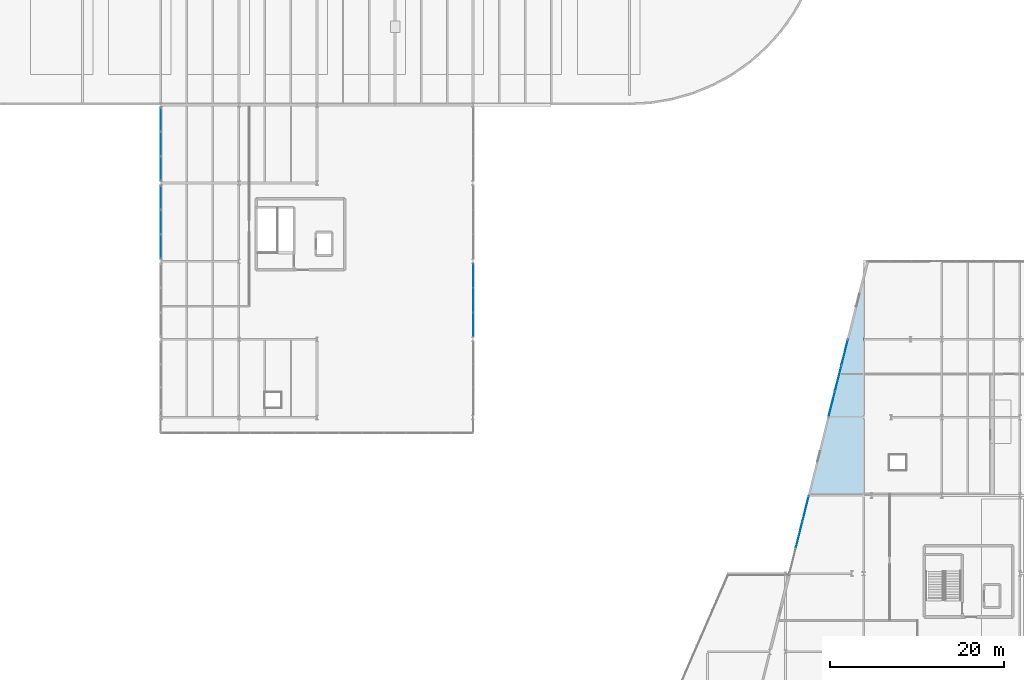
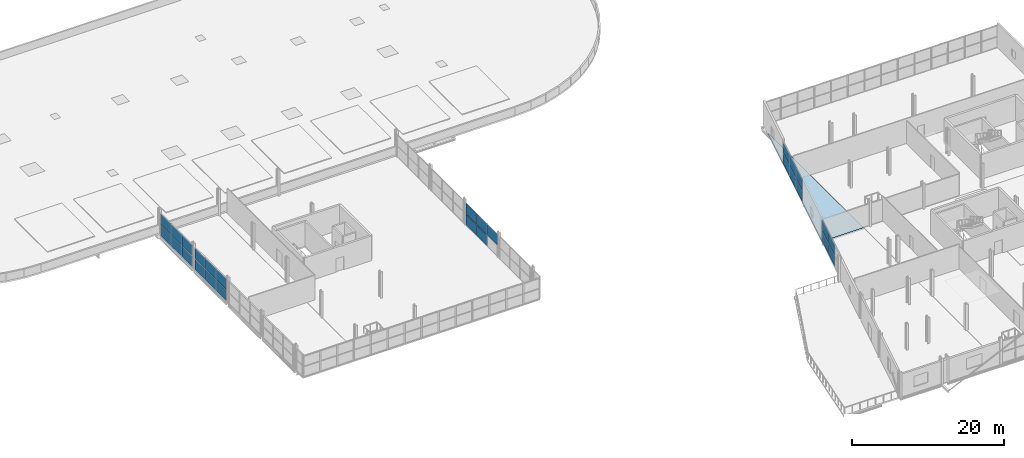
# One storey, part 49 of 59: 27 plates, 1 slab, 5 elements without a shape of their own.
"""IFC4 building model written with IfcOpenShell, lengths in metres."""

from ifc_helpers import new_model, si_unit, direction, frame, origin, origin_2d, place, context, subcontext, project, spatial, polyline, rectangle, outline, extrude, material, layer, layer_set, type_object, element, aggregate, save


model = new_model("IFC4")

# Units and contexts
model_context = context("Model", 3, precision=1e-05, world=origin(), true_north=direction((0.0, 1.0)))
body_context = subcontext(model_context, "Body", "Model", "MODEL_VIEW")
ifc_project = project(units=[si_unit("LENGTHUNIT", "METRE"), si_unit("AREAUNIT", "SQUARE_METRE"), si_unit("VOLUMEUNIT", "CUBIC_METRE"), si_unit("PLANEANGLEUNIT", "RADIAN"), si_unit("MASSUNIT", "GRAM", prefix="KILO")], contexts=[model_context])

# Site, building, storey
site_placement = place(None, origin())
site = spatial("IfcSite", under=ifc_project, at=site_placement, CompositionType="ELEMENT")
building_placement = place(site_placement, origin())
building = spatial("IfcBuilding", under=site, at=building_placement, Name="Deido Ridge Mobility Hub", CompositionType="ELEMENT")
storey_placement = place(building_placement, frame((0.0, 0.0, 21.0)))
storey = spatial("IfcBuildingStorey", under=building, at=storey_placement, Name="L05", CompositionType="ELEMENT", Elevation=21.0)

# Curtain wall, plates
ifc_material_1 = material(Name="Anodised aluminium EN AW-6063 T6", Category="aluminium")
ifc_layer_1 = layer(ifc_material_1, 0.16796875, Name="Anodised aluminium EN AW-6063 T6")
ifc_layer_set_1 = layer_set([ifc_layer_1], Name="Anodised aluminium EN AW-6063 T6")
curtain_wall_type_1 = type_object("IfcCurtainWallType", Name="CW-GS-4", PredefinedType="USERDEFINED", material=ifc_layer_set_1)
curtain_wall_1_placement = place(storey_placement, origin())
curtain_wall_1 = element("IfcCurtainWall", 1, at=curtain_wall_1_placement, inside=storey, type_object=curtain_wall_type_1, Name="Unitised curtain wall GS4", ObjectType="GLAZED SCREEN", PredefinedType="USERDEFINED")
ifc_material_2 = material(Name="Laminated solar-control low-E glass", Category="glass")
ifc_layer_2 = layer(ifc_material_2, 0.02587890625, Name="Laminated solar-control low-E glass")
ifc_layer_set_2 = layer_set([ifc_layer_2], Name="Laminated solar-control low-E glass")
plate_type_1 = type_object("IfcPlateType", Name="PLT-CWP-26", PredefinedType="CURTAIN_PANEL", material=ifc_layer_set_2)
plate_1_placement = place(storey_placement, frame((99.0, 55.67919921875, 1.824951171875), z_axis=(0.0, 0.0, 1.0), x_axis=(0.0, 1.0, 0.0)))
plate_1 = element("IfcPlate", 2, at=plate_1_placement, type_object=plate_type_1, Name="GS4 panel 1.2", PredefinedType="CURTAIN_PANEL", context=body_context, shape_type="SweptSolid", body=[
    extrude(rectangle(XDim=2.75830078125, YDim=0.02587890625, at=origin_2d()), origin(), (0.0, 0.0, 1.0), 1.72509765625),
])
plate_2_placement = place(storey_placement, frame((99.0, 58.5, 0.050048828125), z_axis=(0.0, 0.0, 1.0), x_axis=(0.0, 1.0, 0.0)))
plate_2 = element("IfcPlate", 3, at=plate_2_placement, type_object=plate_type_1, Name="GS4 panel 2.1", PredefinedType="CURTAIN_PANEL", context=body_context, shape_type="SweptSolid", body=[
    extrude(rectangle(XDim=2.783447265625, YDim=0.02587890625, at=origin_2d()), origin(), (0.0, 0.0, 1.0), 1.72509765625),
])
plate_3_placement = place(storey_placement, frame((99.0, 58.5, 1.824951171875), z_axis=(0.0, 0.0, 1.0), x_axis=(0.0, 1.0, 0.0)))
plate_3 = element("IfcPlate", 4, at=plate_3_placement, type_object=plate_type_1, Name="GS4 panel 2.2", PredefinedType="CURTAIN_PANEL", context=body_context, shape_type="SweptSolid", body=[
    extrude(rectangle(XDim=2.783447265625, YDim=0.02587890625, at=origin_2d()), origin(), (0.0, 0.0, 1.0), 1.72509765625),
])
plate_4_placement = place(storey_placement, frame((99.0, 61.32080078125, 0.050048828125), z_axis=(0.0, 0.0, 1.0), x_axis=(0.0, 1.0, 0.0)))
plate_4 = element("IfcPlate", 5, at=plate_4_placement, type_object=plate_type_1, Name="GS4 panel 3.1", PredefinedType="CURTAIN_PANEL", context=body_context, shape_type="SweptSolid", body=[
    extrude(rectangle(XDim=2.75830078125, YDim=0.02587890625, at=origin_2d()), origin(), (0.0, 0.0, 1.0), 1.72509765625),
])
plate_5_placement = place(storey_placement, frame((99.0, 61.32080078125, 1.824951171875), z_axis=(0.0, 0.0, 1.0), x_axis=(0.0, 1.0, 0.0)))
plate_5 = element("IfcPlate", 6, at=plate_5_placement, type_object=plate_type_1, Name="GS4 panel 3.2", PredefinedType="CURTAIN_PANEL", context=body_context, shape_type="SweptSolid", body=[
    extrude(rectangle(XDim=2.75830078125, YDim=0.02587890625, at=origin_2d()), origin(), (0.0, 0.0, 1.0), 1.72509765625),
])
aggregate(curtain_wall_1, [plate_1, plate_2, plate_3, plate_4, plate_5])

ifc_layer_3 = layer(ifc_material_1, 0.239990234375, Name="Anodised aluminium EN AW-6063 T6")
ifc_layer_set_3 = layer_set([ifc_layer_3], Name="Anodised aluminium EN AW-6063 T6")
curtain_wall_type_2 = type_object("IfcCurtainWallType", Name="CW-UF-6", PredefinedType="USERDEFINED", material=ifc_layer_set_3)
curtain_wall_2_placement = place(storey_placement, origin())
curtain_wall_2 = element("IfcCurtainWall", 7, at=curtain_wall_2_placement, inside=storey, type_object=curtain_wall_type_2, Name="Unitised curtain wall CW6", ObjectType="UNITISED FACADE", PredefinedType="USERDEFINED")
ifc_layer_4 = layer(ifc_material_2, 0.034912109375, Name="Laminated solar-control low-E glass")
ifc_layer_set_4 = layer_set([ifc_layer_4], Name="Laminated solar-control low-E glass")
plate_type_2 = type_object("IfcPlateType", Name="PLT-CWP-35", PredefinedType="CURTAIN_PANEL", material=ifc_layer_set_4)
plate_6_placement = place(storey_placement, frame((136.574951171875, 31.5, 0.06982421875), z_axis=(0.0, 0.0, 1.0), x_axis=(0.242535625038, 0.970142500145, 0.0)))
plate_6 = element("IfcPlate", 8, at=plate_6_placement, type_object=plate_type_2, Name="CW6 panel 2.1", PredefinedType="CURTAIN_PANEL", context=body_context, shape_type="SweptSolid", body=[
    extrude(rectangle(XDim=3.022216796875, YDim=0.034912109375, at=origin_2d()), origin(), (0.0, 0.0, 1.0), 1.695068359375),
])
plate_7_placement = place(storey_placement, frame((136.574951171875, 31.5, 1.8349609375), z_axis=(0.0, 0.0, 1.0), x_axis=(0.242535625038, 0.970142500145, 0.0)))
plate_7 = element("IfcPlate", 9, at=plate_7_placement, type_object=plate_type_2, Name="CW6 panel 2.2", PredefinedType="CURTAIN_PANEL", context=body_context, shape_type="SweptSolid", body=[
    extrude(rectangle(XDim=3.022216796875, YDim=0.034912109375, at=origin_2d()), origin(), (0.0, 0.0, 1.0), 1.695068359375),
])
plate_8_placement = place(storey_placement, frame((137.32080078125, 34.48291015625, 0.06982421875), z_axis=(0.0, 0.0, 1.0), x_axis=(0.242535625038, 0.970142500145, 0.0)))
plate_8 = element("IfcPlate", 10, at=plate_8_placement, type_object=plate_type_2, Name="CW6 panel 3.1", PredefinedType="CURTAIN_PANEL", context=body_context, shape_type="SweptSolid", body=[
    extrude(rectangle(XDim=2.9873046875, YDim=0.034912109375, at=origin_2d()), origin(), (0.0, 0.0, 1.0), 1.695068359375),
])
plate_9_placement = place(storey_placement, frame((137.32080078125, 34.48291015625, 1.8349609375), z_axis=(0.0, 0.0, 1.0), x_axis=(0.242535625038, 0.970142500145, 0.0)))
plate_9 = element("IfcPlate", 11, at=plate_9_placement, type_object=plate_type_2, Name="CW6 panel 3.2", PredefinedType="CURTAIN_PANEL", context=body_context, shape_type="SweptSolid", body=[
    extrude(rectangle(XDim=2.9873046875, YDim=0.034912109375, at=origin_2d()), origin(), (0.0, 0.0, 1.0), 1.695068359375),
])
aggregate(curtain_wall_2, [plate_6, plate_7, plate_8, plate_9])

ifc_layer_5 = layer(ifc_material_1, 0.27001953125, Name="Anodised aluminium EN AW-6063 T6")
ifc_layer_set_5 = layer_set([ifc_layer_5], Name="Anodised aluminium EN AW-6063 T6")
curtain_wall_type_3 = type_object("IfcCurtainWallType", Name="CW-UF-8", PredefinedType="USERDEFINED", material=ifc_layer_set_5)
curtain_wall_3_placement = place(storey_placement, origin())
curtain_wall_3 = element("IfcCurtainWall", 12, at=curtain_wall_3_placement, inside=storey, type_object=curtain_wall_type_3, Name="Unitised curtain wall CW8", ObjectType="UNITISED FACADE", PredefinedType="USERDEFINED")
ifc_layer_6 = layer(ifc_material_2, 0.0390625, Name="Laminated solar-control low-E glass")
ifc_layer_set_6 = layer_set([ifc_layer_6], Name="Laminated solar-control low-E glass")
plate_type_3 = type_object("IfcPlateType", Name="PLT-CWP-39", PredefinedType="CURTAIN_PANEL", material=ifc_layer_set_6)
plate_10_placement = place(storey_placement, frame((140.329833984375, 46.519287109375, 0.080078125), z_axis=(0.0, 0.0, 1.0), x_axis=(0.242535625038, 0.970142500145, 0.0)))
plate_10 = element("IfcPlate", 13, at=plate_10_placement, type_object=plate_type_3, Name="CW8 panel 1.1", PredefinedType="CURTAIN_PANEL", context=body_context, shape_type="SweptSolid", body=[
    extrude(rectangle(XDim=2.972412109375, YDim=0.0390625, at=origin_2d()), origin(), (0.0, 0.0, 1.0), 1.679931640625),
])
plate_11_placement = place(storey_placement, frame((140.329833984375, 46.519287109375, 1.83984375), z_axis=(0.0, 0.0, 1.0), x_axis=(0.242535625038, 0.970142500145, 0.0)))
plate_11 = element("IfcPlate", 14, at=plate_11_placement, type_object=plate_type_3, Name="CW8 panel 1.2", PredefinedType="CURTAIN_PANEL", context=body_context, shape_type="SweptSolid", body=[
    extrude(rectangle(XDim=2.972412109375, YDim=0.0390625, at=origin_2d()), origin(), (0.0, 0.0, 1.0), 1.679931640625),
])
plate_12_placement = place(storey_placement, frame((141.074951171875, 49.5, 0.080078125), z_axis=(0.0, 0.0, 1.0), x_axis=(0.242535625038, 0.970142500145, 0.0)))
plate_12 = element("IfcPlate", 15, at=plate_12_placement, type_object=plate_type_3, Name="CW8 panel 2.1", PredefinedType="CURTAIN_PANEL", context=body_context, shape_type="SweptSolid", body=[
    extrude(rectangle(XDim=3.012451171875, YDim=0.0390625, at=origin_2d()), origin(), (0.0, 0.0, 1.0), 1.679931640625),
])
plate_13_placement = place(storey_placement, frame((141.074951171875, 49.5, 1.83984375), z_axis=(0.0, 0.0, 1.0), x_axis=(0.242535625038, 0.970142500145, 0.0)))
plate_13 = element("IfcPlate", 16, at=plate_13_placement, type_object=plate_type_3, Name="CW8 panel 2.2", PredefinedType="CURTAIN_PANEL", context=body_context, shape_type="SweptSolid", body=[
    extrude(rectangle(XDim=3.012451171875, YDim=0.0390625, at=origin_2d()), origin(), (0.0, 0.0, 1.0), 1.679931640625),
])
plate_14_placement = place(storey_placement, frame((141.820068359375, 52.480712890625, 0.080078125), z_axis=(0.0, 0.0, 1.0), x_axis=(0.242535625038, 0.970142500145, 0.0)))
plate_14 = element("IfcPlate", 17, at=plate_14_placement, type_object=plate_type_3, Name="CW8 panel 3.1", PredefinedType="CURTAIN_PANEL", context=body_context, shape_type="SweptSolid", body=[
    extrude(rectangle(XDim=2.972412109375, YDim=0.0390625, at=origin_2d()), origin(), (0.0, 0.0, 1.0), 1.679931640625),
])
plate_15_placement = place(storey_placement, frame((141.820068359375, 52.480712890625, 1.83984375), z_axis=(0.0, 0.0, 1.0), x_axis=(0.242535625038, 0.970142500145, 0.0)))
plate_15 = element("IfcPlate", 18, at=plate_15_placement, type_object=plate_type_3, Name="CW8 panel 3.2", PredefinedType="CURTAIN_PANEL", context=body_context, shape_type="SweptSolid", body=[
    extrude(rectangle(XDim=2.972412109375, YDim=0.0390625, at=origin_2d()), origin(), (0.0, 0.0, 1.0), 1.679931640625),
])
aggregate(curtain_wall_3, [plate_10, plate_11, plate_12, plate_13, plate_14, plate_15])

ifc_layer_7 = layer(ifc_material_1, 0.156005859375, Name="Anodised aluminium EN AW-6063 T6")
ifc_layer_set_7 = layer_set([ifc_layer_7], Name="Anodised aluminium EN AW-6063 T6")
curtain_wall_type_4 = type_object("IfcCurtainWallType", Name="CW-GS-3", PredefinedType="USERDEFINED", material=ifc_layer_set_7)
curtain_wall_4_placement = place(storey_placement, origin())
curtain_wall_4 = element("IfcCurtainWall", 19, at=curtain_wall_4_placement, inside=storey, type_object=curtain_wall_type_4, Name="Unitised curtain wall GS3", ObjectType="GLAZED SCREEN", PredefinedType="USERDEFINED")
ifc_layer_8 = layer(ifc_material_2, 0.041015625, Name="Laminated solar-control low-E glass")
ifc_layer_set_8 = layer_set([ifc_layer_8], Name="Laminated solar-control low-E glass")
plate_type_4 = type_object("IfcPlateType", Name="PLT-CWP-41", PredefinedType="CURTAIN_PANEL", material=ifc_layer_set_8)
plate_16_placement = place(storey_placement, frame((63.0, 64.68798828125, 0.0849609375), z_axis=(0.0, 0.0, 1.0), x_axis=(0.0, 1.0, 0.0)))
plate_16 = element("IfcPlate", 20, at=plate_16_placement, type_object=plate_type_4, Name="GS3 panel 1.1", PredefinedType="CURTAIN_PANEL", context=body_context, shape_type="SweptSolid", body=[
    extrude(rectangle(XDim=2.705810546875, YDim=0.041015625, at=origin_2d()), origin(), (0.0, 0.0, 1.0), 1.672607421875),
])
plate_17_placement = place(storey_placement, frame((63.0, 64.68798828125, 1.84228515625), z_axis=(0.0, 0.0, 1.0), x_axis=(0.0, 1.0, 0.0)))
plate_17 = element("IfcPlate", 21, at=plate_17_placement, type_object=plate_type_4, Name="GS3 panel 1.2", PredefinedType="CURTAIN_PANEL", context=body_context, shape_type="SweptSolid", body=[
    extrude(rectangle(XDim=2.705810546875, YDim=0.041015625, at=origin_2d()), origin(), (0.0, 0.0, 1.0), 1.672607421875),
])
plate_18_placement = place(storey_placement, frame((63.0, 67.5, 0.0849609375), z_axis=(0.0, 0.0, 1.0), x_axis=(0.0, 1.0, 0.0)))
plate_18 = element("IfcPlate", 22, at=plate_18_placement, type_object=plate_type_4, Name="GS3 panel 2.1", PredefinedType="CURTAIN_PANEL", context=body_context, shape_type="SweptSolid", body=[
    extrude(rectangle(XDim=2.748291015625, YDim=0.041015625, at=origin_2d()), origin(), (0.0, 0.0, 1.0), 1.672607421875),
])
plate_19_placement = place(storey_placement, frame((63.0, 67.5, 1.84228515625), z_axis=(0.0, 0.0, 1.0), x_axis=(0.0, 1.0, 0.0)))
plate_19 = element("IfcPlate", 23, at=plate_19_placement, type_object=plate_type_4, Name="GS3 panel 2.2", PredefinedType="CURTAIN_PANEL", context=body_context, shape_type="SweptSolid", body=[
    extrude(rectangle(XDim=2.748291015625, YDim=0.041015625, at=origin_2d()), origin(), (0.0, 0.0, 1.0), 1.672607421875),
])
plate_20_placement = place(storey_placement, frame((63.0, 70.31201171875, 0.0849609375), z_axis=(0.0, 0.0, 1.0), x_axis=(0.0, 1.0, 0.0)))
plate_20 = element("IfcPlate", 24, at=plate_20_placement, type_object=plate_type_4, Name="GS3 panel 3.1", PredefinedType="CURTAIN_PANEL", context=body_context, shape_type="SweptSolid", body=[
    extrude(rectangle(XDim=2.705810546875, YDim=0.041015625, at=origin_2d()), origin(), (0.0, 0.0, 1.0), 1.672607421875),
])
plate_21_placement = place(storey_placement, frame((63.0, 70.31201171875, 1.84228515625), z_axis=(0.0, 0.0, 1.0), x_axis=(0.0, 1.0, 0.0)))
plate_21 = element("IfcPlate", 25, at=plate_21_placement, type_object=plate_type_4, Name="GS3 panel 3.2", PredefinedType="CURTAIN_PANEL", context=body_context, shape_type="SweptSolid", body=[
    extrude(rectangle(XDim=2.705810546875, YDim=0.041015625, at=origin_2d()), origin(), (0.0, 0.0, 1.0), 1.672607421875),
])
aggregate(curtain_wall_4, [plate_16, plate_17, plate_18, plate_19, plate_20, plate_21])

curtain_wall_5_placement = place(storey_placement, origin())
curtain_wall_5 = element("IfcCurtainWall", 26, at=curtain_wall_5_placement, inside=storey, type_object=curtain_wall_type_4, Name="Unitised curtain wall GS3", ObjectType="GLAZED SCREEN", PredefinedType="USERDEFINED")
plate_22_placement = place(storey_placement, frame((63.0, 73.68798828125, 0.0849609375), z_axis=(0.0, 0.0, 1.0), x_axis=(0.0, 1.0, 0.0)))
plate_22 = element("IfcPlate", 27, at=plate_22_placement, type_object=plate_type_4, Name="GS3 panel 1.1", PredefinedType="CURTAIN_PANEL", context=body_context, shape_type="SweptSolid", body=[
    extrude(rectangle(XDim=2.705810546875, YDim=0.041015625, at=origin_2d()), origin(), (0.0, 0.0, 1.0), 1.672607421875),
])
plate_23_placement = place(storey_placement, frame((63.0, 73.68798828125, 1.84228515625), z_axis=(0.0, 0.0, 1.0), x_axis=(0.0, 1.0, 0.0)))
plate_23 = element("IfcPlate", 28, at=plate_23_placement, type_object=plate_type_4, Name="GS3 panel 1.2", PredefinedType="CURTAIN_PANEL", context=body_context, shape_type="SweptSolid", body=[
    extrude(rectangle(XDim=2.705810546875, YDim=0.041015625, at=origin_2d()), origin(), (0.0, 0.0, 1.0), 1.672607421875),
])
plate_24_placement = place(storey_placement, frame((63.0, 76.5, 0.0849609375), z_axis=(0.0, 0.0, 1.0), x_axis=(0.0, 1.0, 0.0)))
plate_24 = element("IfcPlate", 29, at=plate_24_placement, type_object=plate_type_4, Name="GS3 panel 2.1", PredefinedType="CURTAIN_PANEL", context=body_context, shape_type="SweptSolid", body=[
    extrude(rectangle(XDim=2.748291015625, YDim=0.041015625, at=origin_2d()), origin(), (0.0, 0.0, 1.0), 1.672607421875),
])
plate_25_placement = place(storey_placement, frame((63.0, 76.5, 1.84228515625), z_axis=(0.0, 0.0, 1.0), x_axis=(0.0, 1.0, 0.0)))
plate_25 = element("IfcPlate", 30, at=plate_25_placement, type_object=plate_type_4, Name="GS3 panel 2.2", PredefinedType="CURTAIN_PANEL", context=body_context, shape_type="SweptSolid", body=[
    extrude(rectangle(XDim=2.748291015625, YDim=0.041015625, at=origin_2d()), origin(), (0.0, 0.0, 1.0), 1.672607421875),
])
plate_26_placement = place(storey_placement, frame((63.0, 79.31201171875, 0.0849609375), z_axis=(0.0, 0.0, 1.0), x_axis=(0.0, 1.0, 0.0)))
plate_26 = element("IfcPlate", 31, at=plate_26_placement, type_object=plate_type_4, Name="GS3 panel 3.1", PredefinedType="CURTAIN_PANEL", context=body_context, shape_type="SweptSolid", body=[
    extrude(rectangle(XDim=2.705810546875, YDim=0.041015625, at=origin_2d()), origin(), (0.0, 0.0, 1.0), 1.672607421875),
])
plate_27_placement = place(storey_placement, frame((63.0, 79.31201171875, 1.84228515625), z_axis=(0.0, 0.0, 1.0), x_axis=(0.0, 1.0, 0.0)))
plate_27 = element("IfcPlate", 32, at=plate_27_placement, type_object=plate_type_4, Name="GS3 panel 3.2", PredefinedType="CURTAIN_PANEL", context=body_context, shape_type="SweptSolid", body=[
    extrude(rectangle(XDim=2.705810546875, YDim=0.041015625, at=origin_2d()), origin(), (0.0, 0.0, 1.0), 1.672607421875),
])
aggregate(curtain_wall_5, [plate_22, plate_23, plate_24, plate_25, plate_26, plate_27])

# Slab
ifc_material_3 = material(Name="Concrete C35/45", Category="concrete")
ifc_layer_9 = layer(ifc_material_3, 0.2451171875, Name="Concrete C35/45")
ifc_layer_set_9 = layer_set([ifc_layer_9], Name="Concrete C35/45")
slab_type = type_object("IfcSlabType", Name="SLB-FLR-245", PredefinedType="FLOOR", material=ifc_layer_set_9)
slab_placement = place(storey_placement, frame((0.0, 0.0, -0.2451171875)))
element("IfcSlab", 33, at=slab_placement, inside=storey, type_object=slab_type, Name="L05 V6 structural deck 67", PredefinedType="FLOOR", context=body_context, shape_type="SweptSolid", body=[
    extrude(outline(polyline([(137.699951171875, 36.0), (143.97509765625, 61.10009765625), (143.97509765625, 36.0), (137.699951171875, 36.0)])), origin(), (0.0, 0.0, 1.0), 0.2451171875),
])

save(model, "model.ifc")
